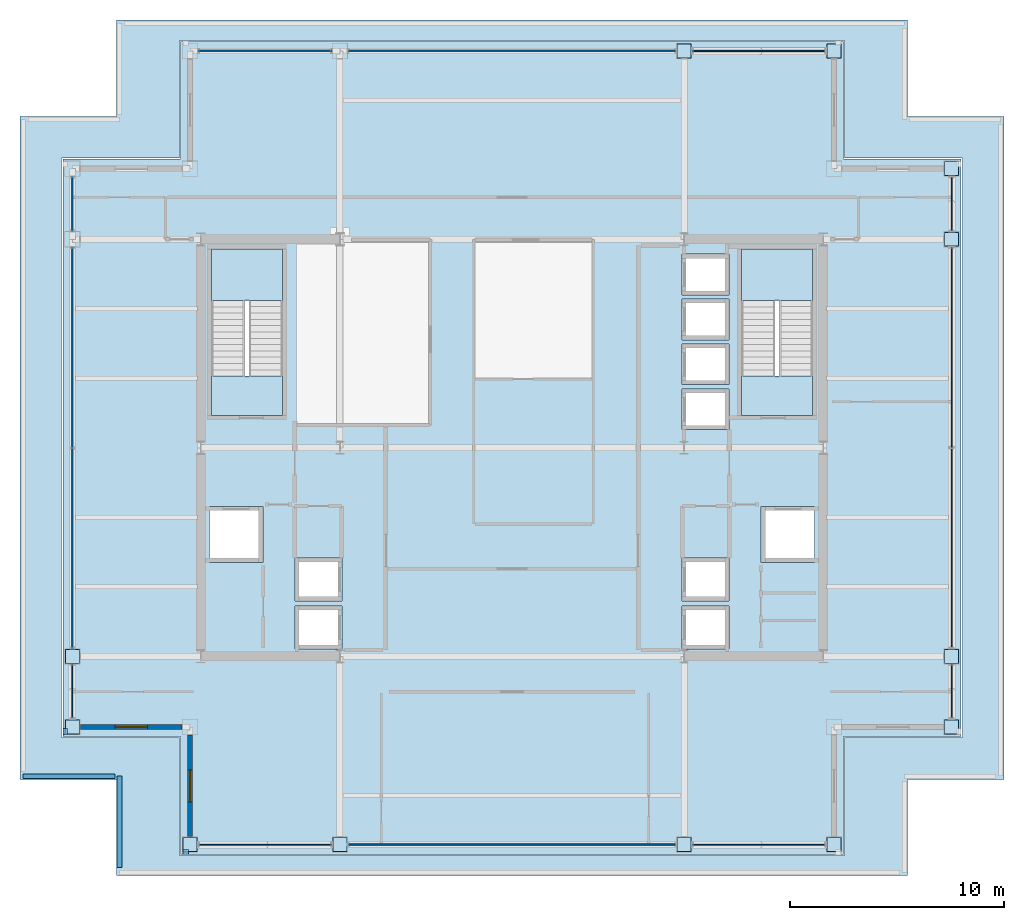
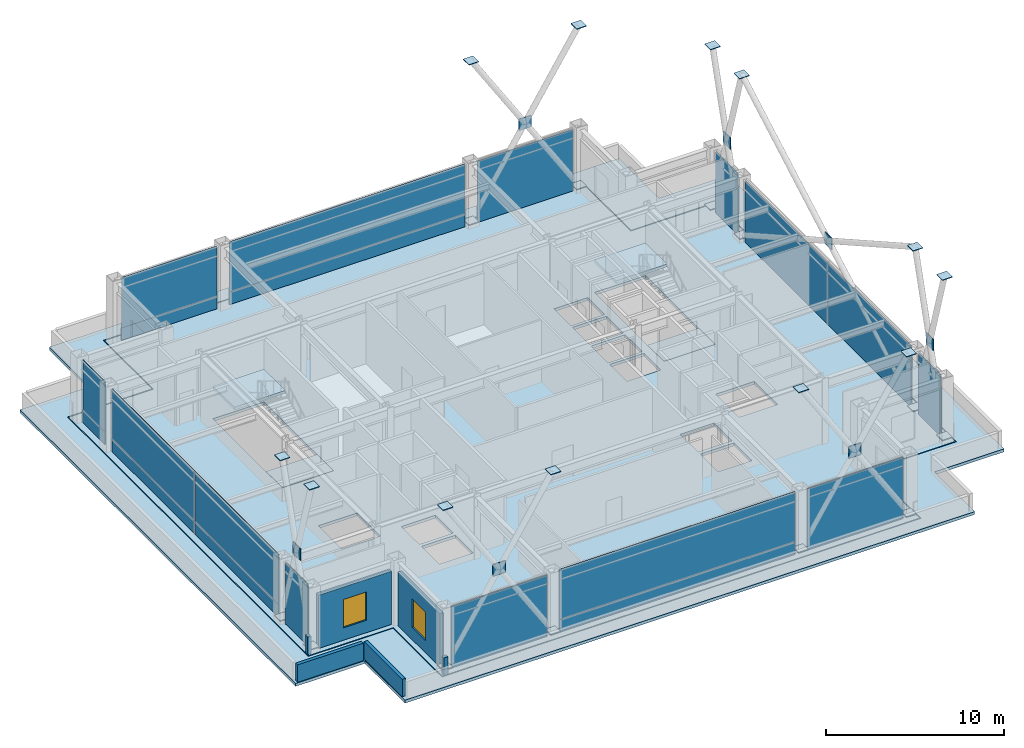
# One storey, part 19 of 24: 51 plates, 6 slabs, 6 walls, 2 windows, 2 openings, 14 elements without a shape of their own.
"""IFC4 building model written with IfcOpenShell, lengths in metres."""

from ifc_helpers import new_model, si_unit, direction, frame, frame_2d, origin, origin_2d, place, context, subcontext, project, spatial, polyline, rectangle, outline, extrude, material, layer, layer_set, type_object, element, fill, aggregate, save


model = new_model("IFC4")

# Units and contexts
model_context = context("Model", 3, precision=1e-05, world=origin(), true_north=direction((0.0, 1.0)))
body_context = subcontext(model_context, "Body", "Model", "MODEL_VIEW")
ifc_project = project(units=[si_unit("LENGTHUNIT", "METRE"), si_unit("AREAUNIT", "SQUARE_METRE"), si_unit("VOLUMEUNIT", "CUBIC_METRE"), si_unit("PLANEANGLEUNIT", "RADIAN"), si_unit("MASSUNIT", "GRAM", prefix="KILO")], contexts=[model_context])

# Site, building, storey
site_placement = place(None, origin())
site = spatial("IfcSite", under=ifc_project, at=site_placement, CompositionType="ELEMENT")
building_placement = place(site_placement, origin())
building = spatial("IfcBuilding", under=site, at=building_placement, Name="Brelmoor Portico Tower", CompositionType="ELEMENT")
storey_placement = place(building_placement, frame((0.0, 0.0, 150.60009765625)))
storey = spatial("IfcBuildingStorey", under=building, at=storey_placement, Name="L39", CompositionType="ELEMENT", Elevation=150.60009765625)

# Plates
ifc_material_1 = material(Name="Steel Q355B", Category="steel")
ifc_layer_1 = layer(ifc_material_1, 0.044921875)
ifc_layer_set_1 = layer_set([ifc_layer_1], Name="Steel Q355B")
plate_type_1 = type_object("IfcPlateType", Name="PT-CAP-650", PredefinedType="SHEET", material=ifc_layer_set_1)
for number, where, z_axis, x_axis, name in (
    (1, (-15.050048828125, -18.550048828125, 0.2275390625), (0.0, 0.0, 1.0), (1.0, 0.0, 0.0), "L39 Continuous Mega-X Brace 084A Joint Cap Plate 1"),
    (2, (-8.050048828125, -18.550048828125, 11.2275390625), (0.0, 0.0, 1.0), (1.0, 0.0, 0.0), "L39 Continuous Mega-X Brace 084A Joint Cap Plate 2"),
    (3, (-8.050048828125, -18.550048828125, 0.2275390625), (0.0, 0.0, 1.0), (1.0, 0.0, 0.0), "L39 Split Mega-X Brace 084B1 Joint Cap Plate 1"),
    (4, (-15.050048828125, -18.550048828125, 11.2275390625), (0.0, 0.0, 1.0), (1.0, 0.0, 0.0), "L39 Split Mega-X Brace 084B2 Joint Cap Plate 2"),
    (5, (8.050048828125, -18.550048828125, 0.2275390625), (0.0, 0.0, 1.0), (1.0, 0.0, 0.0), "L39 Continuous Mega-X Brace 085A Joint Cap Plate 1"),
    (6, (15.050048828125, -18.550048828125, 11.2275390625), (0.0, 0.0, 1.0), (1.0, 0.0, 0.0), "L39 Continuous Mega-X Brace 085A Joint Cap Plate 2"),
    (7, (15.050048828125, -18.550048828125, 0.2275390625), (0.0, 0.0, 1.0), (1.0, 0.0, 0.0), "L39 Split Mega-X Brace 085B1 Joint Cap Plate 1"),
    (8, (8.050048828125, -18.550048828125, 11.2275390625), (0.0, 0.0, 1.0), (1.0, 0.0, 0.0), "L39 Split Mega-X Brace 085B2 Joint Cap Plate 2"),
    (9, (8.050048828125, 18.550048828125, 0.2275390625), (0.0, 0.0, 1.0), (1.0, 0.0, 0.0), "L39 Continuous Mega-X Brace 086A Joint Cap Plate 1"),
    (10, (15.050048828125, 18.550048828125, 11.2275390625), (0.0, 0.0, 1.0), (1.0, 0.0, 0.0), "L39 Continuous Mega-X Brace 086A Joint Cap Plate 2"),
    (11, (15.050048828125, 18.550048828125, 0.2275390625), (0.0, 0.0, 1.0), (1.0, 0.0, 0.0), "L39 Split Mega-X Brace 086B1 Joint Cap Plate 1"),
    (12, (8.050048828125, 18.550048828125, 11.2275390625), (0.0, 0.0, 1.0), (1.0, 0.0, 0.0), "L39 Split Mega-X Brace 086B2 Joint Cap Plate 2"),
    (13, (-20.550048828125, -13.050048828125, 0.2275390625), (0.0, 0.0, 1.0), (1.0, 0.0, 0.0), "L39 Continuous Mega-X Brace 087A Joint Cap Plate 1"),
    (14, (-20.550048828125, -9.75, 11.2275390625), (0.0, 0.0, 1.0), (1.0, 0.0, 0.0), "L39 Continuous Mega-X Brace 087A Joint Cap Plate 2"),
    (15, (-20.550048828125, -9.75, 0.2275390625), (0.0, 0.0, 1.0), (1.0, 0.0, 0.0), "L39 Split Mega-X Brace 087B1 Joint Cap Plate 1"),
    (16, (-20.550048828125, -13.050048828125, 11.2275390625), (0.0, 0.0, 1.0), (1.0, 0.0, 0.0), "L39 Split Mega-X Brace 087B2 Joint Cap Plate 2"),
    (17, (20.550048828125, -13.050048828125, 0.2275390625), (0.0, 0.0, 1.0), (1.0, 0.0, 0.0), "L39 Continuous Mega-X Brace 088A Joint Cap Plate 1"),
    (18, (20.550048828125, -9.75, 11.2275390625), (0.0, 0.0, 1.0), (1.0, 0.0, 0.0), "L39 Continuous Mega-X Brace 088A Joint Cap Plate 2"),
    (19, (20.550048828125, -9.75, 0.2275390625), (0.0, 0.0, 1.0), (1.0, 0.0, 0.0), "L39 Split Mega-X Brace 088B1 Joint Cap Plate 1"),
    (20, (20.550048828125, -13.050048828125, 11.2275390625), (0.0, 0.0, 1.0), (1.0, 0.0, 0.0), "L39 Split Mega-X Brace 088B2 Joint Cap Plate 2"),
    (21, (20.550048828125, 9.75, 11.2275390625), (0.0, 0.0, 1.0), (1.0, 0.0, 0.0), "L39 Continuous Mega-X Brace 089A Joint Cap Plate 2"),
    (22, (20.550048828125, 9.75, 0.2275390625), (0.0, 0.0, 1.0), (1.0, 0.0, 0.0), "L39 Split Mega-X Brace 089B1 Joint Cap Plate 1"),
    (23, (20.550048828125, 13.050048828125, 11.2275390625), (0.0, 0.0, 1.0), (1.0, 0.0, 0.0), "L39 Continuous Mega-X Brace 090A Joint Cap Plate 2"),
    (24, (20.550048828125, 13.050048828125, 0.2275390625), (0.0, 0.0, 1.0), (1.0, 0.0, 0.0), "L39 Split Mega-X Brace 090B1 Joint Cap Plate 1"),
):
    element("IfcPlate", number, at=place(storey_placement, frame(where, z_axis=z_axis, x_axis=x_axis)), inside=storey, type_object=plate_type_1, Name=name, PredefinedType="SHEET", context=body_context, shape_type="SweptSolid", body=[
        extrude(rectangle(XDim=0.64990234375, YDim=0.64990234375, at=origin_2d()), origin(), (0.0, 0.0, 1.0), 0.044921875),
    ])

# Curtain wall, plate
ifc_material_2 = material(Name="Anodised Aluminium Alloy 6063-T6", Category="aluminium")
ifc_layer_2 = layer(ifc_material_2, 0.179931640625)
ifc_layer_set_2 = layer_set([ifc_layer_2], Name="Anodised Aluminium Alloy 6063-T6")
curtain_wall_type_1 = type_object("IfcCurtainWallType", Name="CW-SKYLOBBY", PredefinedType="NOTDEFINED", material=ifc_layer_set_2)
curtain_wall_1_placement = place(storey_placement, origin())
curtain_wall_1 = element("IfcCurtainWall", 25, at=curtain_wall_1_placement, inside=storey, type_object=curtain_wall_type_1, Name="L39 Curtain Wall CW-L39-01-2", PredefinedType="NOTDEFINED")
ifc_material_3 = material(Name="Double-Silver Low-E Insulated Glazing", Category="glass")
ifc_layer_3 = layer(ifc_material_3, 0.035888671875)
ifc_layer_set_3 = layer_set([ifc_layer_3], Name="Double-Silver Low-E Insulated Glazing")
plate_type_2 = type_object("IfcPlateType", Name="PT-CW-GLASS", PredefinedType="CURTAIN_PANEL", material=ifc_layer_set_3)
plate_1_placement = place(storey_placement, frame((0.0, -18.550048828125, 0.85009765625), z_axis=(0.0, 0.0, 1.0), x_axis=(1.0, 0.0, 0.0)))
plate_1 = element("IfcPlate", 26, at=plate_1_placement, type_object=plate_type_2, Name="CW-L39-01-2 Vision Glass Panel 00", PredefinedType="CURTAIN_PANEL", context=body_context, shape_type="SweptSolid", body=[
    extrude(rectangle(XDim=15.300048828125, YDim=0.035888671875, at=origin_2d()), origin(), (0.0, 0.0, 1.0), 3.449951171875),
])

curtain_wall_2_placement = place(storey_placement, origin())
curtain_wall_2 = element("IfcCurtainWall", 27, at=curtain_wall_2_placement, inside=storey, type_object=curtain_wall_type_1, Name="L39 Curtain Wall CW-L39-02-1", PredefinedType="NOTDEFINED")
plate_2_placement = place(storey_placement, frame((-11.550048828125, 18.550048828125, 0.85009765625), z_axis=(0.0, 0.0, 1.0), x_axis=(1.0, 0.0, 0.0)))
plate_2 = element("IfcPlate", 28, at=plate_2_placement, type_object=plate_type_2, Name="CW-L39-02-1 Vision Glass Panel 00", PredefinedType="CURTAIN_PANEL", context=body_context, shape_type="SweptSolid", body=[
    extrude(rectangle(XDim=6.199951171875, YDim=0.035888671875, at=origin_2d()), origin(), (0.0, 0.0, 1.0), 3.449951171875),
])

curtain_wall_3_placement = place(storey_placement, origin())
curtain_wall_3 = element("IfcCurtainWall", 29, at=curtain_wall_3_placement, inside=storey, type_object=curtain_wall_type_1, Name="L39 Curtain Wall CW-L39-02-2", PredefinedType="NOTDEFINED")
plate_3_placement = place(storey_placement, frame((0.0, 18.550048828125, 0.85009765625), z_axis=(0.0, 0.0, 1.0), x_axis=(1.0, 0.0, 0.0)))
plate_3 = element("IfcPlate", 30, at=plate_3_placement, type_object=plate_type_2, Name="CW-L39-02-2 Vision Glass Panel 00", PredefinedType="CURTAIN_PANEL", context=body_context, shape_type="SweptSolid", body=[
    extrude(rectangle(XDim=15.300048828125, YDim=0.035888671875, at=origin_2d()), origin(), (0.0, 0.0, 1.0), 3.449951171875),
])

# Curtain wall, plates
curtain_wall_4_placement = place(storey_placement, origin())
curtain_wall_4 = element("IfcCurtainWall", 31, at=curtain_wall_4_placement, inside=storey, type_object=curtain_wall_type_1, Name="L39 Curtain Wall CW-L39-03-2", PredefinedType="NOTDEFINED")
plate_4_placement = place(storey_placement, frame((-20.550048828125, -4.6826171875, 0.85009765625), z_axis=(0.0, 0.0, 1.0), x_axis=(0.0, 1.0, 0.0)))
plate_4 = element("IfcPlate", 32, at=plate_4_placement, type_object=plate_type_2, Name="CW-L39-03-2 Vision Glass Panel 00", PredefinedType="CURTAIN_PANEL", context=body_context, shape_type="SweptSolid", body=[
    extrude(rectangle(XDim=9.3349609375, YDim=0.035888671875, at=origin_2d()), origin(), (0.0, 0.0, 1.0), 3.449951171875),
])
plate_5_placement = place(storey_placement, frame((-20.550048828125, 4.6826171875, 0.85009765625), z_axis=(0.0, 0.0, 1.0), x_axis=(0.0, 1.0, 0.0)))
plate_5 = element("IfcPlate", 33, at=plate_5_placement, type_object=plate_type_2, Name="CW-L39-03-2 Vision Glass Panel 01", PredefinedType="CURTAIN_PANEL", context=body_context, shape_type="SweptSolid", body=[
    extrude(rectangle(XDim=9.3349609375, YDim=0.035888671875, at=origin_2d()), origin(), (0.0, 0.0, 1.0), 3.449951171875),
])

# Curtain wall, plate
curtain_wall_5_placement = place(storey_placement, origin())
curtain_wall_5 = element("IfcCurtainWall", 34, at=curtain_wall_5_placement, inside=storey, type_object=curtain_wall_type_1, Name="L39 Curtain Wall CW-L39-03-3", PredefinedType="NOTDEFINED")
plate_6_placement = place(storey_placement, frame((-20.550048828125, 11.39990234375, 0.85009765625), z_axis=(0.0, 0.0, 1.0), x_axis=(0.0, 1.0, 0.0)))
plate_6 = element("IfcPlate", 35, at=plate_6_placement, type_object=plate_type_2, Name="CW-L39-03-3 Vision Glass Panel 00", PredefinedType="CURTAIN_PANEL", context=body_context, shape_type="SweptSolid", body=[
    extrude(rectangle(XDim=2.5, YDim=0.035888671875, at=origin_2d()), origin(), (0.0, 0.0, 1.0), 3.449951171875),
])

ifc_layer_4 = layer(ifc_material_2, 0.179931640625)
ifc_layer_set_4 = layer_set([ifc_layer_4], Name="Anodised Aluminium Alloy 6063-T6")
curtain_wall_type_2 = type_object("IfcCurtainWallType", Name="CW-SKYLOBBY-XB", PredefinedType="NOTDEFINED", material=ifc_layer_set_4)
curtain_wall_6_placement = place(storey_placement, origin())
curtain_wall_6 = element("IfcCurtainWall", 36, at=curtain_wall_6_placement, inside=storey, type_object=curtain_wall_type_2, Name="L39 Curtain Wall CW-L39-01-1", PredefinedType="NOTDEFINED")
ifc_material_4 = material(Name="Pale Champagne Anodised Aluminium Panel", Category="aluminium")
ifc_layer_5 = layer(ifc_material_4, 0.050048828125)
ifc_layer_set_5 = layer_set([ifc_layer_5], Name="Pale Champagne Anodised Aluminium Panel")
plate_type_3 = type_object("IfcPlateType", Name="PT-CW-SPANDREL", PredefinedType="SHEET", material=ifc_layer_set_5)
plate_7_placement = place(storey_placement, frame((-11.550048828125, -18.550048828125, 0.0), z_axis=(0.0, 0.0, 1.0), x_axis=(1.0, 0.0, 0.0)))
plate_7 = element("IfcPlate", 37, at=plate_7_placement, type_object=plate_type_3, Name="CW-L39-01-1 Spandrel Panel 00", PredefinedType="SHEET", context=body_context, shape_type="SweptSolid", body=[
    extrude(rectangle(XDim=6.199951171875, YDim=0.050048828125, at=origin_2d()), origin(), (0.0, 0.0, 1.0), 4.219970703125),
])
aggregate(curtain_wall_6, [plate_7])

# Plate
plate_8_placement = place(storey_placement, frame((0.0, -18.550048828125, -0.000244140625), z_axis=(0.0, 0.0, 1.0), x_axis=(1.0, 0.0, 0.0)))
plate_8 = element("IfcPlate", 38, at=plate_8_placement, type_object=plate_type_3, Name="CW-L39-01-2 Spandrel Panel 00", PredefinedType="SHEET", context=body_context, shape_type="SweptSolid", body=[
    extrude(rectangle(XDim=15.300048828125, YDim=0.050048828125, at=origin_2d()), origin(), (0.0, 0.0, 1.0), 0.85009765625),
])

aggregate(curtain_wall_1, [plate_8, plate_1])

# Curtain wall, plate
curtain_wall_7_placement = place(storey_placement, origin())
curtain_wall_7 = element("IfcCurtainWall", 39, at=curtain_wall_7_placement, inside=storey, type_object=curtain_wall_type_2, Name="L39 Curtain Wall CW-L39-01-3", PredefinedType="NOTDEFINED")
plate_9_placement = place(storey_placement, frame((11.550048828125, -18.550048828125, 0.0), z_axis=(0.0, 0.0, 1.0), x_axis=(1.0, 0.0, 0.0)))
plate_9 = element("IfcPlate", 40, at=plate_9_placement, type_object=plate_type_3, Name="CW-L39-01-3 Spandrel Panel 00", PredefinedType="SHEET", context=body_context, shape_type="SweptSolid", body=[
    extrude(rectangle(XDim=6.199951171875, YDim=0.050048828125, at=origin_2d()), origin(), (0.0, 0.0, 1.0), 4.219970703125),
])
aggregate(curtain_wall_7, [plate_9])

# Plate
plate_10_placement = place(storey_placement, frame((-11.550048828125, 18.550048828125, -0.000244140625), z_axis=(0.0, 0.0, 1.0), x_axis=(1.0, 0.0, 0.0)))
plate_10 = element("IfcPlate", 41, at=plate_10_placement, type_object=plate_type_3, Name="CW-L39-02-1 Spandrel Panel 00", PredefinedType="SHEET", context=body_context, shape_type="SweptSolid", body=[
    extrude(rectangle(XDim=6.199951171875, YDim=0.050048828125, at=origin_2d()), origin(), (0.0, 0.0, 1.0), 0.85009765625),
])

aggregate(curtain_wall_2, [plate_10, plate_2])

plate_11_placement = place(storey_placement, frame((0.0, 18.550048828125, -0.000244140625), z_axis=(0.0, 0.0, 1.0), x_axis=(1.0, 0.0, 0.0)))
plate_11 = element("IfcPlate", 42, at=plate_11_placement, type_object=plate_type_3, Name="CW-L39-02-2 Spandrel Panel 00", PredefinedType="SHEET", context=body_context, shape_type="SweptSolid", body=[
    extrude(rectangle(XDim=15.300048828125, YDim=0.050048828125, at=origin_2d()), origin(), (0.0, 0.0, 1.0), 0.85009765625),
])

aggregate(curtain_wall_3, [plate_11, plate_3])

# Curtain wall, plate
curtain_wall_8_placement = place(storey_placement, origin())
curtain_wall_8 = element("IfcCurtainWall", 43, at=curtain_wall_8_placement, inside=storey, type_object=curtain_wall_type_2, Name="L39 Curtain Wall CW-L39-02-3", PredefinedType="NOTDEFINED")
plate_12_placement = place(storey_placement, frame((11.550048828125, 18.550048828125, 0.0), z_axis=(0.0, 0.0, 1.0), x_axis=(1.0, 0.0, 0.0)))
plate_12 = element("IfcPlate", 44, at=plate_12_placement, type_object=plate_type_3, Name="CW-L39-02-3 Spandrel Panel 00", PredefinedType="SHEET", context=body_context, shape_type="SweptSolid", body=[
    extrude(rectangle(XDim=6.199951171875, YDim=0.050048828125, at=origin_2d()), origin(), (0.0, 0.0, 1.0), 4.219970703125),
])
aggregate(curtain_wall_8, [plate_12])

curtain_wall_9_placement = place(storey_placement, origin())
curtain_wall_9 = element("IfcCurtainWall", 45, at=curtain_wall_9_placement, inside=storey, type_object=curtain_wall_type_2, Name="L39 Curtain Wall CW-L39-03-1", PredefinedType="NOTDEFINED")
plate_13_placement = place(storey_placement, frame((-20.550048828125, -11.39990234375, 0.0), z_axis=(0.0, 0.0, 1.0), x_axis=(0.0, 1.0, 0.0)))
plate_13 = element("IfcPlate", 46, at=plate_13_placement, type_object=plate_type_3, Name="CW-L39-03-1 Spandrel Panel 00", PredefinedType="SHEET", context=body_context, shape_type="SweptSolid", body=[
    extrude(rectangle(XDim=2.5, YDim=0.050048828125, at=origin_2d()), origin(), (0.0, 0.0, 1.0), 4.219970703125),
])
aggregate(curtain_wall_9, [plate_13])

# Plate
plate_14_placement = place(storey_placement, frame((-20.550048828125, -4.6826171875, -0.000244140625), z_axis=(0.0, 0.0, 1.0), x_axis=(0.0, 1.0, 0.0)))
plate_14 = element("IfcPlate", 47, at=plate_14_placement, type_object=plate_type_3, Name="CW-L39-03-2 Spandrel Panel 00", PredefinedType="SHEET", context=body_context, shape_type="SweptSolid", body=[
    extrude(rectangle(XDim=9.3349609375, YDim=0.050048828125, at=origin_2d()), origin(), (0.0, 0.0, 1.0), 0.85009765625),
])

plate_15_placement = place(storey_placement, frame((-20.550048828125, 4.6826171875, -0.000244140625), z_axis=(0.0, 0.0, 1.0), x_axis=(0.0, 1.0, 0.0)))
plate_15 = element("IfcPlate", 48, at=plate_15_placement, type_object=plate_type_3, Name="CW-L39-03-2 Spandrel Panel 01", PredefinedType="SHEET", context=body_context, shape_type="SweptSolid", body=[
    extrude(rectangle(XDim=9.3349609375, YDim=0.050048828125, at=origin_2d()), origin(), (0.0, 0.0, 1.0), 0.85009765625),
])

aggregate(curtain_wall_4, [plate_14, plate_4, plate_15, plate_5])

plate_16_placement = place(storey_placement, frame((-20.550048828125, 11.39990234375, -0.000244140625), z_axis=(0.0, 0.0, 1.0), x_axis=(0.0, 1.0, 0.0)))
plate_16 = element("IfcPlate", 49, at=plate_16_placement, type_object=plate_type_3, Name="CW-L39-03-3 Spandrel Panel 00", PredefinedType="SHEET", context=body_context, shape_type="SweptSolid", body=[
    extrude(rectangle(XDim=2.5, YDim=0.050048828125, at=origin_2d()), origin(), (0.0, 0.0, 1.0), 0.85009765625),
])

aggregate(curtain_wall_5, [plate_16, plate_6])

# Curtain wall, plate
curtain_wall_10_placement = place(storey_placement, origin())
curtain_wall_10 = element("IfcCurtainWall", 50, at=curtain_wall_10_placement, inside=storey, type_object=curtain_wall_type_2, Name="L39 Curtain Wall CW-L39-04-1", PredefinedType="NOTDEFINED")
plate_17_placement = place(storey_placement, frame((20.550048828125, -11.39990234375, 0.0), z_axis=(0.0, 0.0, 1.0), x_axis=(0.0, 1.0, 0.0)))
plate_17 = element("IfcPlate", 51, at=plate_17_placement, type_object=plate_type_3, Name="CW-L39-04-1 Spandrel Panel 00", PredefinedType="SHEET", context=body_context, shape_type="SweptSolid", body=[
    extrude(rectangle(XDim=2.5, YDim=0.050048828125, at=origin_2d()), origin(), (0.0, 0.0, 1.0), 4.219970703125),
])
aggregate(curtain_wall_10, [plate_17])

# Curtain wall, plates
curtain_wall_11_placement = place(storey_placement, origin())
curtain_wall_11 = element("IfcCurtainWall", 52, at=curtain_wall_11_placement, inside=storey, type_object=curtain_wall_type_2, Name="L39 Curtain Wall CW-L39-04-2", PredefinedType="NOTDEFINED")
plate_18_placement = place(storey_placement, frame((20.550048828125, -4.6826171875, 0.0), z_axis=(0.0, 0.0, 1.0), x_axis=(0.0, 1.0, 0.0)))
plate_18 = element("IfcPlate", 53, at=plate_18_placement, type_object=plate_type_3, Name="CW-L39-04-2 Spandrel Panel 00", PredefinedType="SHEET", context=body_context, shape_type="SweptSolid", body=[
    extrude(rectangle(XDim=9.3349609375, YDim=0.050048828125, at=origin_2d()), origin(), (0.0, 0.0, 1.0), 4.219970703125),
])
plate_19_placement = place(storey_placement, frame((20.550048828125, 4.6826171875, 0.0), z_axis=(0.0, 0.0, 1.0), x_axis=(0.0, 1.0, 0.0)))
plate_19 = element("IfcPlate", 54, at=plate_19_placement, type_object=plate_type_3, Name="CW-L39-04-2 Spandrel Panel 01", PredefinedType="SHEET", context=body_context, shape_type="SweptSolid", body=[
    extrude(rectangle(XDim=9.3349609375, YDim=0.050048828125, at=origin_2d()), origin(), (0.0, 0.0, 1.0), 4.219970703125),
])
aggregate(curtain_wall_11, [plate_18, plate_19])

# Curtain wall, plate
curtain_wall_12_placement = place(storey_placement, origin())
curtain_wall_12 = element("IfcCurtainWall", 55, at=curtain_wall_12_placement, inside=storey, type_object=curtain_wall_type_2, Name="L39 Curtain Wall CW-L39-04-3", PredefinedType="NOTDEFINED")
plate_20_placement = place(storey_placement, frame((20.550048828125, 11.39990234375, 0.0), z_axis=(0.0, 0.0, 1.0), x_axis=(0.0, 1.0, 0.0)))
plate_20 = element("IfcPlate", 56, at=plate_20_placement, type_object=plate_type_3, Name="CW-L39-04-3 Spandrel Panel 00", PredefinedType="SHEET", context=body_context, shape_type="SweptSolid", body=[
    extrude(rectangle(XDim=2.5, YDim=0.050048828125, at=origin_2d()), origin(), (0.0, 0.0, 1.0), 4.219970703125),
])
aggregate(curtain_wall_12, [plate_20])

# Plates
ifc_layer_6 = layer(ifc_material_1, 0.050048828125)
ifc_layer_set_6 = layer_set([ifc_layer_6], Name="Steel Q355B")
plate_type_4 = type_object("IfcPlateType", Name="PT-GUSSET-800", PredefinedType="USERDEFINED", material=ifc_layer_set_6)
for number, where, z_axis, x_axis, name in (
    (57, (-11.550048828125, -18.550048828125, 5.35009765625), (0.0, 0.0, 1.0), (1.0, 0.0, 0.0), "L39 Perimeter Mega-Brace Gusset 084"),
    (58, (11.550048828125, -18.550048828125, 5.35009765625), (0.0, 0.0, 1.0), (1.0, 0.0, 0.0), "L39 Perimeter Mega-Brace Gusset 085"),
    (59, (11.550048828125, 18.550048828125, 5.35009765625), (0.0, 0.0, 1.0), (1.0, 0.0, 0.0), "L39 Perimeter Mega-Brace Gusset 086"),
):
    element("IfcPlate", number, at=place(storey_placement, frame(where, z_axis=z_axis, x_axis=x_axis)), inside=storey, type_object=plate_type_4, Name=name, ObjectType="GUSSET PLATE", PredefinedType="USERDEFINED", context=body_context, shape_type="SweptSolid", body=[
        extrude(rectangle(XDim=0.800048828125, YDim=0.050048828125, at=origin_2d()), origin(), (0.0, 0.0, 1.0), 0.800048828125),
    ])
for number, where, z_axis, x_axis, name in (
    (60, (-20.550048828125, -11.39990234375, 5.35009765625), (0.0, 0.0, 1.0), (1.0, 0.0, 0.0), "L39 Perimeter Mega-Brace Gusset 087"),
    (61, (20.550048828125, -11.39990234375, 5.35009765625), (0.0, 0.0, 1.0), (1.0, 0.0, 0.0), "L39 Perimeter Mega-Brace Gusset 088"),
    (62, (20.550048828125, 0.0, 5.35009765625), (0.0, 0.0, 1.0), (1.0, 0.0, 0.0), "L39 Perimeter Mega-Brace Gusset 089"),
    (63, (20.550048828125, 11.39990234375, 5.35009765625), (0.0, 0.0, 1.0), (1.0, 0.0, 0.0), "L39 Perimeter Mega-Brace Gusset 090"),
):
    element("IfcPlate", number, at=place(storey_placement, frame(where, z_axis=z_axis, x_axis=x_axis)), inside=storey, type_object=plate_type_4, Name=name, ObjectType="GUSSET PLATE", PredefinedType="USERDEFINED", context=body_context, shape_type="SweptSolid", body=[
        extrude(rectangle(XDim=0.050048828125, YDim=0.800048828125, at=origin_2d()), origin(), (0.0, 0.0, 1.0), 0.800048828125),
    ])

# Slab
ifc_material_5 = material(Name="Concrete C40", Category="concrete")
ifc_layer_7 = layer(ifc_material_5, 0.199951171875)
ifc_layer_set_7 = layer_set([ifc_layer_7], Name="Concrete C40")
slab_type_1 = type_object("IfcSlabType", Name="SL-FLOOR-200", PredefinedType="FLOOR", material=ifc_layer_set_7)
slab_1_placement = place(storey_placement, frame((0.0, 0.0, -0.2001953125)))
element("IfcSlab", 64, at=slab_1_placement, inside=storey, type_object=slab_type_1, Name="L39 Main Structural Floor Slab", PredefinedType="FLOOR", context=body_context, shape_type="SweptSolid", body=[
    extrude(outline(polyline([(-15.5, -19.0), (15.5, -19.0), (15.5, -13.5), (21.0, -13.5), (21.0, 13.5), (15.5, 13.5), (15.5, 19.0), (-15.5, 19.0), (-15.5, 13.5), (-21.0, 13.5), (-21.0, -13.5), (-15.5, -13.5), (-15.5, -19.0)]), holes=[polyline([(-10.72998046875, 1.5), (-10.72998046875, 9.300048828125), (-14.050048828125, 9.300048828125), (-14.050048828125, 1.5), (-10.72998046875, 1.5)]), polyline([(14.050048828125, 1.5), (14.050048828125, 9.300048828125), (10.72998046875, 9.300048828125), (10.72998046875, 1.5), (14.050048828125, 1.5)]), polyline([(7.949951171875, 0.85009765625), (10.14990234375, 0.85009765625), (10.14990234375, 2.75), (7.949951171875, 2.75), (7.949951171875, 0.85009765625)]), polyline([(7.949951171875, 2.949951171875), (10.14990234375, 2.949951171875), (10.14990234375, 4.85009765625), (7.949951171875, 4.85009765625), (7.949951171875, 2.949951171875)]), polyline([(7.949951171875, 5.050048828125), (10.14990234375, 5.050048828125), (10.14990234375, 6.949951171875), (7.949951171875, 6.949951171875), (7.949951171875, 5.050048828125)]), polyline([(7.949951171875, 7.14990234375), (10.14990234375, 7.14990234375), (10.14990234375, 9.050048828125), (7.949951171875, 9.050048828125), (7.949951171875, 7.14990234375)]), polyline([(-10.14990234375, -9.39990234375), (-7.949951171875, -9.39990234375), (-7.949951171875, -7.39990234375), (-10.14990234375, -7.39990234375), (-10.14990234375, -9.39990234375)]), polyline([(-10.14990234375, -7.14990234375), (-7.949951171875, -7.14990234375), (-7.949951171875, -5.14990234375), (-10.14990234375, -5.14990234375), (-10.14990234375, -7.14990234375)]), polyline([(7.949951171875, -9.39990234375), (10.14990234375, -9.39990234375), (10.14990234375, -7.39990234375), (7.949951171875, -7.39990234375), (7.949951171875, -9.39990234375)]), polyline([(7.949951171875, -7.14990234375), (10.14990234375, -7.14990234375), (10.14990234375, -5.14990234375), (7.949951171875, -5.14990234375), (7.949951171875, -7.14990234375)]), polyline([(-14.14990234375, -5.35009765625), (-11.64990234375, -5.35009765625), (-11.64990234375, -2.75), (-14.14990234375, -2.75), (-14.14990234375, -5.35009765625)]), polyline([(11.64990234375, -5.35009765625), (14.14990234375, -5.35009765625), (14.14990234375, -2.75), (11.64990234375, -2.75), (11.64990234375, -5.35009765625)])]), origin(), (0.0, 0.0, 1.0), 0.2001953125),
])

# Stair, slab
stair_type_1 = type_object("IfcStairType", Name="ST-CORE-W", PredefinedType="HALF_TURN_STAIR", material=ifc_material_5)
stair_1_placement = place(storey_placement, origin())
stair_1 = element("IfcStair", 65, at=stair_1_placement, inside=storey, type_object=stair_type_1, Name="L39 Protected Core Exit Stair ST-W", PredefinedType="HALF_TURN_STAIR")
ifc_layer_8 = layer(ifc_material_5, 0.179931640625)
ifc_layer_set_8 = layer_set([ifc_layer_8], Name="Concrete C40")
slab_type_2 = type_object("IfcSlabType", Name="SL-LANDING-180", PredefinedType="LANDING", material=ifc_layer_set_8)
slab_2_placement = place(storey_placement, frame((0.0, 0.0, 2.0498046875)))
slab_2 = element("IfcSlab", 66, at=slab_2_placement, type_object=slab_type_2, Name="ST-W landing 1", PredefinedType="LANDING", context=body_context, shape_type="SweptSolid", body=[
    extrude(outline(polyline([(-10.72998046875, 6.889892578125), (-10.72998046875, 9.300048828125), (-14.050048828125, 9.300048828125), (-14.050048828125, 6.889892578125), (-10.72998046875, 6.889892578125)])), origin(), (0.0, 0.0, 1.0), 0.2001953125),
])
aggregate(stair_1, [slab_2])

stair_type_2 = type_object("IfcStairType", Name="ST-CORE-E", PredefinedType="HALF_TURN_STAIR", material=ifc_material_5)
stair_2_placement = place(storey_placement, origin())
stair_2 = element("IfcStair", 67, at=stair_2_placement, inside=storey, type_object=stair_type_2, Name="L39 Protected Core Exit Stair ST-E", PredefinedType="HALF_TURN_STAIR")
slab_3_placement = place(storey_placement, frame((0.0, 0.0, 2.0498046875)))
slab_3 = element("IfcSlab", 68, at=slab_3_placement, type_object=slab_type_2, Name="ST-E landing 1", PredefinedType="LANDING", context=body_context, shape_type="SweptSolid", body=[
    extrude(outline(polyline([(14.050048828125, 6.889892578125), (14.050048828125, 9.300048828125), (10.72998046875, 9.300048828125), (10.72998046875, 6.889892578125), (14.050048828125, 6.889892578125)])), origin(), (0.0, 0.0, 1.0), 0.2001953125),
])
aggregate(stair_2, [slab_3])

# Slabs
ifc_layer_9 = layer(ifc_material_5, 0.199951171875)
ifc_layer_set_9 = layer_set([ifc_layer_9], Name="Concrete C40")
slab_type_3 = type_object("IfcSlabType", Name="SL-ROOF-200", PredefinedType="ROOF", material=ifc_layer_set_9)
slab_4_placement = place(storey_placement, frame((0.0, 0.0, -0.2001953125)))
element("IfcSlab", 69, at=slab_4_placement, inside=storey, type_object=slab_type_3, Name="L39 Setback Maintenance Roof Slab", PredefinedType="ROOF", context=body_context, shape_type="SweptSolid", body=[
    extrude(outline(polyline([(-18.5, -20.0), (18.5, -20.0), (18.5, -15.5), (23.0, -15.5), (23.0, 15.5), (18.5, 15.5), (18.5, 20.0), (-18.5, 20.0), (-18.5, 15.5), (-23.0, 15.5), (-23.0, -15.5), (-18.5, -15.5), (-18.5, -20.0)]), holes=[polyline([(-15.550048828125, -19.050048828125), (15.550048828125, -19.050048828125), (15.550048828125, -13.550048828125), (21.050048828125, -13.550048828125), (21.050048828125, 13.550048828125), (15.550048828125, 13.550048828125), (15.550048828125, 19.050048828125), (-15.550048828125, 19.050048828125), (-15.550048828125, 13.550048828125), (-21.050048828125, 13.550048828125), (-21.050048828125, -13.550048828125), (-15.550048828125, -13.550048828125), (-15.550048828125, -19.050048828125)])]), origin(), (0.0, 0.0, 1.0), 0.2001953125),
])
ifc_layer_10 = layer(ifc_material_5, 0.199951171875)
ifc_layer_set_10 = layer_set([ifc_layer_10], Name="Concrete C40")
slab_type_4 = type_object("IfcSlabType", Name="SL-STAIR-FL200", PredefinedType="LANDING", material=ifc_layer_set_10)
slab_5_placement = place(storey_placement, frame((0.0, 0.0, -0.2001953125)))
element("IfcSlab", 70, at=slab_5_placement, inside=storey, type_object=slab_type_4, Name="L39 ST-W Structural Floor Landing Slab", PredefinedType="LANDING", context=body_context, shape_type="SweptSolid", body=[
    extrude(outline(polyline([(-10.72998046875, 1.5), (-10.72998046875, 3.35009765625), (-14.050048828125, 3.35009765625), (-14.050048828125, 1.5), (-10.72998046875, 1.5)])), origin(), (0.0, 0.0, 1.0), 0.2001953125),
])
slab_6_placement = place(storey_placement, frame((0.0, 0.0, -0.2001953125)))
element("IfcSlab", 71, at=slab_6_placement, inside=storey, type_object=slab_type_4, Name="L39 ST-E Structural Floor Landing Slab", PredefinedType="LANDING", context=body_context, shape_type="SweptSolid", body=[
    extrude(outline(polyline([(14.050048828125, 1.5), (14.050048828125, 3.35009765625), (10.72998046875, 3.35009765625), (10.72998046875, 1.5), (14.050048828125, 1.5)])), origin(), (0.0, 0.0, 1.0), 0.2001953125),
])

# Wall, opening, window
ifc_material_6 = material(Name="Precast Concrete C40 Insulated Facade Wall", Category="concrete")
ifc_layer_11 = layer(ifc_material_6, 0.25)
ifc_layer_set_11 = layer_set([ifc_layer_11], Name="Precast Concrete C40 Insulated Facade Wall")
wall_type_1 = type_object("IfcWallType", Name="WL-EXT-250", PredefinedType="STANDARD", material=ifc_layer_set_11)
wall_1_placement = place(storey_placement, frame((-20.1650390625, -13.050048828125, 0.0), z_axis=(0.0, 0.0, 1.0), x_axis=(1.0, 0.0, 0.0)))
wall_1 = element("IfcWall", 72, at=wall_1_placement, inside=storey, type_object=wall_type_1, Name="L39 Corner Notch Facade Wall NSWH1", PredefinedType="STANDARD", context=body_context, shape_type="SweptSolid", body=[
    extrude(rectangle(XDim=4.72998046875, YDim=0.25, at=frame_2d((2.364990234375, 0.0))), origin(), (0.0, 0.0, 1.0), 3.64990234375),
])
opening_1_placement = place(wall_1_placement, frame((1.614990234375, 0.0, 0.85009765625)))
opening_1 = element("IfcOpeningElement", 73, at=opening_1_placement, cuts=wall_1, Name="Opening W-01B", PredefinedType="OPENING", context=body_context, shape_type="SweptSolid", body=[
    extrude(rectangle(XDim=1.5, YDim=1.949951171875, at=frame_2d((0.75, 0.97509765625))), frame((0.0, 0.135009765625, 0.0), z_axis=(0.0, -1.0, 0.0), x_axis=(1.0, 0.0, 0.0)), (0.0, 0.0, 1.0), 0.27001953125),
])
ifc_material_7 = material(Name="Thermally Broken Aluminium Low-E Window", Category="aluminium")
window_type = type_object("IfcWindowType", Name="WN-NOTCH-1500x1950", PartitioningType="SINGLE_PANEL", PredefinedType="WINDOW", material=ifc_material_7)
window_1_placement = place(opening_1_placement, origin())
window_1 = element("IfcWindow", 74, at=window_1_placement, inside=storey, type_object=window_type, Name="L39 Corner Notch Window NSWH1", OverallHeight=1.949951171875, OverallWidth=1.5, PartitioningType="SINGLE_PANEL", PredefinedType="WINDOW", context=body_context, shape_type="SweptSolid", body=[
    extrude(rectangle(XDim=1.5, YDim=1.949951171875, at=frame_2d((0.75, 0.97509765625))), frame((0.0, 0.030029296875, 0.0), z_axis=(0.0, -1.0, 0.0), x_axis=(1.0, 0.0, 0.0)), (0.0, 0.0, 1.0), 0.06005859375),
])
fill(opening_1, window_1)

wall_2_placement = place(storey_placement, frame((-15.050048828125, -18.1650390625, 0.0), z_axis=(0.0, 0.0, 1.0), x_axis=(0.0, 1.0, 0.0)))
wall_2 = element("IfcWall", 75, at=wall_2_placement, inside=storey, type_object=wall_type_1, Name="L39 Corner Notch Facade Wall NSWV1", PredefinedType="STANDARD", context=body_context, shape_type="SweptSolid", body=[
    extrude(rectangle(XDim=4.72998046875, YDim=0.25, at=frame_2d((2.364990234375, 0.0))), origin(), (0.0, 0.0, 1.0), 3.64990234375),
])
opening_2_placement = place(wall_2_placement, frame((1.614990234375, 0.0, 0.85009765625)))
opening_2 = element("IfcOpeningElement", 76, at=opening_2_placement, cuts=wall_2, Name="Opening W-01B", PredefinedType="OPENING", context=body_context, shape_type="SweptSolid", body=[
    extrude(rectangle(XDim=1.5, YDim=1.949951171875, at=frame_2d((0.75, 0.97509765625))), frame((0.0, 0.135009765625, 0.0), z_axis=(0.0, -1.0, 0.0), x_axis=(1.0, 0.0, 0.0)), (0.0, 0.0, 1.0), 0.27001953125),
])
window_2_placement = place(opening_2_placement, origin())
window_2 = element("IfcWindow", 77, at=window_2_placement, inside=storey, type_object=window_type, Name="L39 Corner Notch Window NSWV1", OverallHeight=1.949951171875, OverallWidth=1.5, PartitioningType="SINGLE_PANEL", PredefinedType="WINDOW", context=body_context, shape_type="SweptSolid", body=[
    extrude(rectangle(XDim=1.5, YDim=1.949951171875, at=frame_2d((0.75, 0.97509765625))), frame((0.0, 0.030029296875, 0.0), z_axis=(0.0, -1.0, 0.0), x_axis=(1.0, 0.0, 0.0)), (0.0, 0.0, 1.0), 0.06005859375),
])
fill(opening_2, window_2)

# Walls
ifc_material_8 = material(Name="Concrete C40 Parapet Upstand", Category="concrete")
ifc_layer_12 = layer(ifc_material_8, 0.219970703125)
ifc_layer_set_12 = layer_set([ifc_layer_12], Name="Concrete C40 Parapet Upstand")
wall_type_2 = type_object("IfcWallType", Name="WL-PARAPET-220", PredefinedType="PARAPET", material=ifc_layer_set_12)
for number, where, z_axis, x_axis, name in (
    (78, (-15.389892578125, -18.889892578125, 0.0), (0.0, 0.0, 1.0), (1.0, 0.0, 0.0), "L39 Chamfer Vertex Parapet Pier SW1"),
    (79, (-20.889892578125, -13.389892578125, 0.0), (0.0, 0.0, 1.0), (0.0, 1.0, 0.0), "L39 Chamfer Vertex Parapet Pier SW2"),
):
    element("IfcWall", number, at=place(storey_placement, frame(where, z_axis=z_axis, x_axis=x_axis)), inside=storey, type_object=wall_type_2, Name=name, PredefinedType="PARAPET", context=body_context, shape_type="SweptSolid", body=[
        extrude(rectangle(XDim=0.269775390625, YDim=0.219970703125, at=frame_2d((0.134765625, 0.0))), origin(), (0.0, 0.0, 1.0), 1.199951171875),
    ])
wall_3_placement = place(storey_placement, frame((-22.85009765625, -15.35009765625, 0.0), z_axis=(0.0, 0.0, 1.0), x_axis=(1.0, 0.0, 0.0)))
element("IfcWall", 80, at=wall_3_placement, inside=storey, type_object=wall_type_2, Name="L39 Roof Parapet Wall 11", PredefinedType="PARAPET", context=body_context, shape_type="SweptSolid", body=[
    extrude(rectangle(XDim=4.280029296875, YDim=0.219970703125, at=frame_2d((2.14013671875, 0.0))), origin(), (0.0, 0.0, 1.0), 1.199951171875),
])
wall_4_placement = place(storey_placement, frame((-18.35009765625, -15.35009765625, 0.0), z_axis=(0.0, 0.0, 1.0), x_axis=(0.0, -1.0, 0.0)))
element("IfcWall", 81, at=wall_4_placement, inside=storey, type_object=wall_type_2, Name="L39 Roof Parapet Wall 12", PredefinedType="PARAPET", context=body_context, shape_type="SweptSolid", body=[
    extrude(rectangle(XDim=4.27978515625, YDim=0.219970703125, at=frame_2d((2.139892578125, 0.0))), origin(), (0.0, 0.0, 1.0), 1.199951171875),
])

save(model, "model.ifc")
